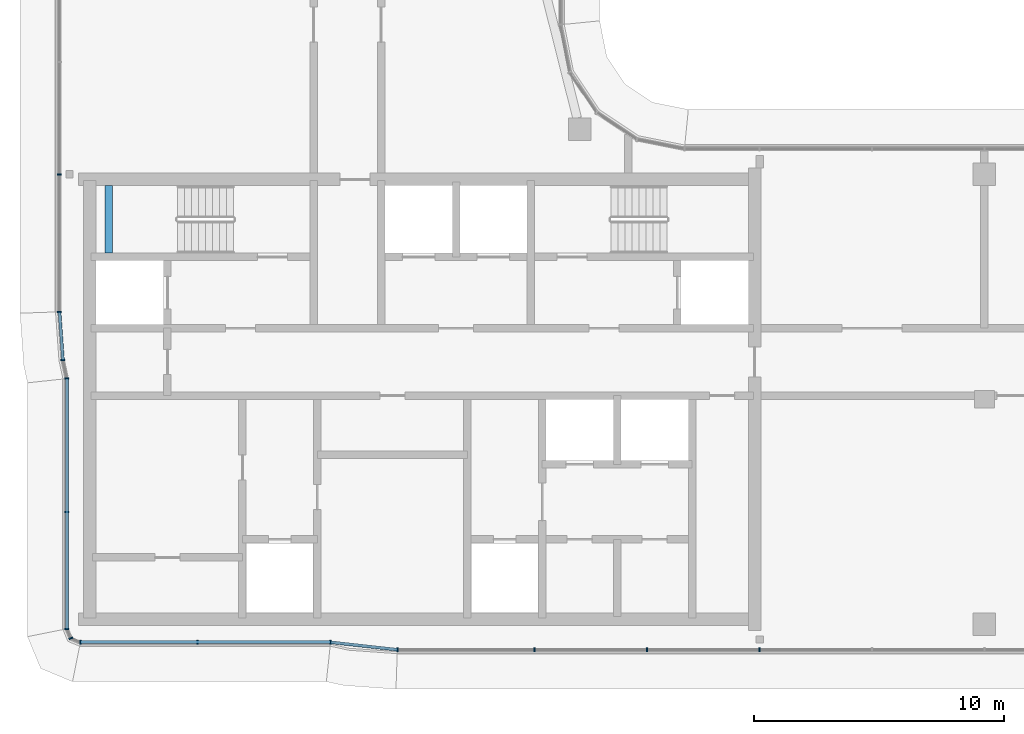
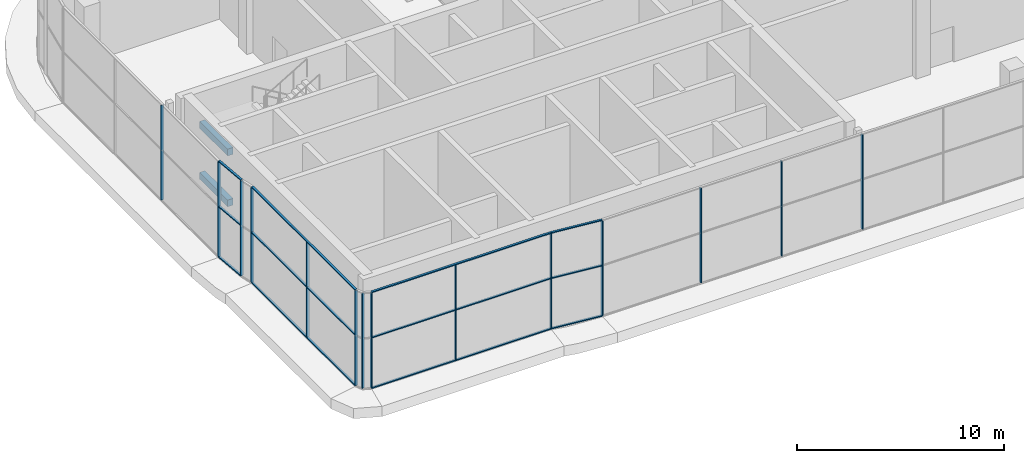
# One storey, part 2 of 23: 26 members, 2 beams, 7 elements without a shape of their own.
"""IFC4 building model written with IfcOpenShell, lengths in metres."""

from ifc_helpers import new_model, si_unit, direction, frame, origin, origin_2d, place, context, subcontext, project, spatial, rectangle, extrude, material, material_profile, profile_set, type_object, element, aggregate, save


model = new_model("IFC4")

# Units and contexts
model_context = context("Model", 3, precision=1e-05, world=origin(), true_north=direction((0.0, 1.0)))
body_context = subcontext(model_context, "Body", "Model", "MODEL_VIEW")
ifc_project = project(units=[si_unit("LENGTHUNIT", "METRE"), si_unit("AREAUNIT", "SQUARE_METRE"), si_unit("VOLUMEUNIT", "CUBIC_METRE"), si_unit("PLANEANGLEUNIT", "RADIAN"), si_unit("MASSUNIT", "GRAM", prefix="KILO")], contexts=[model_context])

# Site, building, storey
site_placement = place(None, origin())
site = spatial("IfcSite", under=ifc_project, at=site_placement, CompositionType="ELEMENT")
building_placement = place(site_placement, origin())
building = spatial("IfcBuilding", under=site, at=building_placement, Name="Ogive Portal Towers", CompositionType="ELEMENT")
storey_placement = place(building_placement, frame((0.0, 0.0, 260.89990234375)))
storey = spatial("IfcBuildingStorey", under=building, at=storey_placement, Name="L64", CompositionType="ELEMENT", Elevation=260.89990234375)

# Beams
ifc_material_1 = material(Name="Concrete C40/50", Category="concrete")
ifc_material_profile_1 = material_profile(ifc_material_1, rectangle(XDim=0.300048828125, YDim=0.39990234375, at=origin_2d()), Name="RC 300x400")
ifc_profile_set_1 = profile_set([ifc_material_profile_1], Name="Concrete C40/50")
beam_type = type_object("IfcBeamType", Name="BEAM RC 300x400", PredefinedType="BEAM", material=ifc_profile_set_1)
for number, where, z_axis, x_axis, name in (
    (1, (32.449951171875, 36.35009765625, 1.10009765625), (0.0, 1.0, 0.0), (-1.0, 0.0, 0.0), "Landing beam L64"),
    (2, (32.449951171875, 36.35009765625, 4.10009765625), (0.0, 1.0, 0.0), (-1.0, 0.0, 0.0), "Landing beam L64"),
):
    element("IfcBeam", number, at=place(storey_placement, frame(where, z_axis=z_axis, x_axis=x_axis)), inside=storey, type_object=beam_type, Name=name, PredefinedType="BEAM", context=body_context, shape_type="SweptSolid", body=[
        extrude(rectangle(XDim=0.300048828125, YDim=0.39990234375, at=origin_2d()), origin(), (0.0, 0.0, 1.0), 2.699951171875),
    ])

# Curtain wall, members
ifc_material_2 = material(Name="Glass, clear low-iron insulated glazing", Category="glass")
curtain_wall_type = type_object("IfcCurtainWallType", Name="CW OBSERVATION WALL", PredefinedType="NOTDEFINED", material=ifc_material_2)
curtain_wall_1_placement = place(storey_placement, origin())
curtain_wall_1 = element("IfcCurtainWall", 3, at=curtain_wall_1_placement, inside=storey, type_object=curtain_wall_type, Name="A:L64:f00:cw0", PredefinedType="NOTDEFINED")
ifc_material_3 = material(Name="Aluminium 6063 anodised", Category="aluminium")
ifc_material_profile_2 = material_profile(ifc_material_3, rectangle(XDim=0.159912109375, YDim=0.06005859375, at=origin_2d()), Name="AL 60x160")
ifc_profile_set_2 = profile_set([ifc_material_profile_2], Name="Aluminium 6063 anodised")
member_type_1 = type_object("IfcMemberType", Name="CW MULLION 60x160", PredefinedType="MULLION", material=ifc_profile_set_2)
member_1_placement = place(storey_placement, frame((30.780029296875, 31.330322265625, 0.06005859375), z_axis=(0.0, 0.0, 1.0), x_axis=(1.0, 0.0, 0.0)))
member_1 = element("IfcMember", 4, at=member_1_placement, type_object=member_type_1, Name="mullion", PredefinedType="MULLION", context=body_context, shape_type="SweptSolid", body=[
    extrude(rectangle(XDim=0.159912109375, YDim=0.06005859375, at=origin_2d()), origin(), (0.0, 0.0, 1.0), 5.580078125),
])
member_2_placement = place(storey_placement, frame((30.780029296875, 26.0, 0.06005859375), z_axis=(0.0, 0.0, 1.0), x_axis=(1.0, 0.0, 0.0)))
member_2 = element("IfcMember", 5, at=member_2_placement, type_object=member_type_1, Name="mullion", PredefinedType="MULLION", context=body_context, shape_type="SweptSolid", body=[
    extrude(rectangle(XDim=0.159912109375, YDim=0.06005859375, at=origin_2d()), origin(), (0.0, 0.0, 1.0), 5.580078125),
])
member_3_placement = place(storey_placement, frame((30.780029296875, 21.31591796875, 0.06005859375), z_axis=(0.0, 0.0, 1.0), x_axis=(1.0, 0.0, 0.0)))
member_3 = element("IfcMember", 6, at=member_3_placement, type_object=member_type_1, Name="mullion", PredefinedType="MULLION", context=body_context, shape_type="SweptSolid", body=[
    extrude(rectangle(XDim=0.159912109375, YDim=0.06005859375, at=origin_2d()), origin(), (0.0, 0.0, 1.0), 5.580078125),
])

curtain_wall_2_placement = place(storey_placement, origin())
curtain_wall_2 = element("IfcCurtainWall", 7, at=curtain_wall_2_placement, inside=storey, type_object=curtain_wall_type, Name="A:L64:f03:cw0", PredefinedType="NOTDEFINED")
member_4_placement = place(storey_placement, frame((31.31591796875, 20.780029296875, 0.06005859375), z_axis=(0.0, 0.0, 1.0), x_axis=(0.0, 1.0, 0.0)))
member_4 = element("IfcMember", 8, at=member_4_placement, type_object=member_type_1, Name="mullion", PredefinedType="MULLION", context=body_context, shape_type="SweptSolid", body=[
    extrude(rectangle(XDim=0.159912109375, YDim=0.06005859375, at=origin_2d()), origin(), (0.0, 0.0, 1.0), 5.580078125),
])
member_5_placement = place(storey_placement, frame((36.0, 20.780029296875, 0.06005859375), z_axis=(0.0, 0.0, 1.0), x_axis=(0.0, 1.0, 0.0)))
member_5 = element("IfcMember", 9, at=member_5_placement, type_object=member_type_1, Name="mullion", PredefinedType="MULLION", context=body_context, shape_type="SweptSolid", body=[
    extrude(rectangle(XDim=0.159912109375, YDim=0.06005859375, at=origin_2d()), origin(), (0.0, 0.0, 1.0), 5.580078125),
])
member_6_placement = place(storey_placement, frame((41.326171875, 20.780029296875, 0.06005859375), z_axis=(0.0, 0.0, 1.0), x_axis=(0.0, 1.0, 0.0)))
member_6 = element("IfcMember", 10, at=member_6_placement, type_object=member_type_1, Name="mullion", PredefinedType="MULLION", context=body_context, shape_type="SweptSolid", body=[
    extrude(rectangle(XDim=0.159912109375, YDim=0.06005859375, at=origin_2d()), origin(), (0.0, 0.0, 1.0), 5.580078125),
])

curtain_wall_3_placement = place(storey_placement, origin())
curtain_wall_3 = element("IfcCurtainWall", 11, at=curtain_wall_3_placement, inside=storey, type_object=curtain_wall_type, Name="A:L64:f05:cw0", PredefinedType="NOTDEFINED")
member_7_placement = place(storey_placement, frame((44.00439453125, 20.47998046875, 0.06005859375), z_axis=(0.0, 0.0, 1.0), x_axis=(0.0, 1.0, 0.0)))
member_7 = element("IfcMember", 12, at=member_7_placement, type_object=member_type_1, Name="mullion", PredefinedType="MULLION", context=body_context, shape_type="SweptSolid", body=[
    extrude(rectangle(XDim=0.159912109375, YDim=0.06005859375, at=origin_2d()), origin(), (0.0, 0.0, 1.0), 5.580078125),
])
member_8_placement = place(storey_placement, frame((49.5, 20.47998046875, 0.06005859375), z_axis=(0.0, 0.0, 1.0), x_axis=(0.0, 1.0, 0.0)))
member_8 = element("IfcMember", 13, at=member_8_placement, type_object=member_type_1, Name="mullion", PredefinedType="MULLION", context=body_context, shape_type="SweptSolid", body=[
    extrude(rectangle(XDim=0.159912109375, YDim=0.06005859375, at=origin_2d()), origin(), (0.0, 0.0, 1.0), 5.580078125),
])
member_9_placement = place(storey_placement, frame((54.0, 20.47998046875, 0.06005859375), z_axis=(0.0, 0.0, 1.0), x_axis=(0.0, 1.0, 0.0)))
member_9 = element("IfcMember", 14, at=member_9_placement, type_object=member_type_1, Name="mullion", PredefinedType="MULLION", context=body_context, shape_type="SweptSolid", body=[
    extrude(rectangle(XDim=0.159912109375, YDim=0.06005859375, at=origin_2d()), origin(), (0.0, 0.0, 1.0), 5.580078125),
])
member_10_placement = place(storey_placement, frame((58.5, 20.47998046875, 0.06005859375), z_axis=(0.0, 0.0, 1.0), x_axis=(0.0, 1.0, 0.0)))
member_10 = element("IfcMember", 15, at=member_10_placement, type_object=member_type_1, Name="mullion", PredefinedType="MULLION", context=body_context, shape_type="SweptSolid", body=[
    extrude(rectangle(XDim=0.159912109375, YDim=0.06005859375, at=origin_2d()), origin(), (0.0, 0.0, 1.0), 5.580078125),
])
aggregate(curtain_wall_3, [member_7, member_8, member_9, member_10])

curtain_wall_4_placement = place(storey_placement, origin())
curtain_wall_4 = element("IfcCurtainWall", 16, at=curtain_wall_4_placement, inside=storey, type_object=curtain_wall_type, Name="A:L64:f23:cw0", PredefinedType="NOTDEFINED")
member_11_placement = place(storey_placement, frame((30.47998046875, 39.5, 0.06005859375), z_axis=(0.0, 0.0, 1.0), x_axis=(1.0, 0.0, 0.0)))
member_11 = element("IfcMember", 17, at=member_11_placement, type_object=member_type_1, Name="mullion", PredefinedType="MULLION", context=body_context, shape_type="SweptSolid", body=[
    extrude(rectangle(XDim=0.159912109375, YDim=0.06005859375, at=origin_2d()), origin(), (0.0, 0.0, 1.0), 5.580078125),
])
member_12_placement = place(storey_placement, frame((30.47998046875, 34.0029296875, 0.06005859375), z_axis=(0.0, 0.0, 1.0), x_axis=(1.0, 0.0, 0.0)))
member_12 = element("IfcMember", 18, at=member_12_placement, type_object=member_type_1, Name="mullion", PredefinedType="MULLION", context=body_context, shape_type="SweptSolid", body=[
    extrude(rectangle(XDim=0.159912109375, YDim=0.06005859375, at=origin_2d()), origin(), (0.0, 0.0, 1.0), 5.580078125),
])
aggregate(curtain_wall_4, [member_11, member_12])

# Curtain wall, member
curtain_wall_5_placement = place(storey_placement, origin())
curtain_wall_5 = element("IfcCurtainWall", 19, at=curtain_wall_5_placement, inside=storey, type_object=curtain_wall_type, Name="A:L64:f01:cwa", PredefinedType="NOTDEFINED")
member_13_placement = place(storey_placement, frame((30.93701171875, 20.93701171875, 0.06005859375), z_axis=(0.0, 0.0, 1.0), x_axis=(0.923879532511, 0.382683432365, 0.0)))
member_13 = element("IfcMember", 20, at=member_13_placement, type_object=member_type_1, Name="mullion", PredefinedType="MULLION", context=body_context, shape_type="SweptSolid", body=[
    extrude(rectangle(XDim=0.159912109375, YDim=0.06005859375, at=origin_2d()), origin(), (0.0, 0.0, 1.0), 5.580078125),
])
aggregate(curtain_wall_5, [member_13])

curtain_wall_6_placement = place(storey_placement, origin())
curtain_wall_6 = element("IfcCurtainWall", 21, at=curtain_wall_6_placement, inside=storey, type_object=curtain_wall_type, Name="A:L64:f24:cwa", PredefinedType="NOTDEFINED")
member_14_placement = place(storey_placement, frame((30.617919921875, 32.075927734375, 0.06005859375), z_axis=(0.0, 0.0, 1.0), x_axis=(0.99745211461, 0.071339183201, 0.0)))
member_14 = element("IfcMember", 22, at=member_14_placement, type_object=member_type_1, Name="mullion", PredefinedType="MULLION", context=body_context, shape_type="SweptSolid", body=[
    extrude(rectangle(XDim=0.159912109375, YDim=0.06005859375, at=origin_2d()), origin(), (0.0, 0.0, 1.0), 5.580078125),
])

# Member
ifc_material_profile_3 = material_profile(ifc_material_3, rectangle(XDim=0.1201171875, YDim=0.06005859375, at=origin_2d()), Name="AL 120x60")
ifc_profile_set_3 = profile_set([ifc_material_profile_3], Name="Aluminium 6063 anodised")
member_type_2 = type_object("IfcMemberType", Name="CW TRANSOM 60x120", PredefinedType="USERDEFINED", material=ifc_profile_set_3)
member_15_placement = place(storey_placement, frame((30.780029296875, 31.330322265625, 0.030029296875), z_axis=(0.0, -1.0, 0.0), x_axis=(1.0, 0.0, 0.0)))
member_15 = element("IfcMember", 23, at=member_15_placement, type_object=member_type_2, Name="transom", ObjectType="TRANSOM", PredefinedType="USERDEFINED", context=body_context, shape_type="SweptSolid", body=[
    extrude(rectangle(XDim=0.1201171875, YDim=0.06005859375, at=origin_2d()), origin(), (0.0, 0.0, 1.0), 10.014404296875),
])

member_16_placement = place(storey_placement, frame((30.780029296875, 31.330322265625, 3.0), z_axis=(0.0, -1.0, 0.0), x_axis=(1.0, 0.0, 0.0)))
member_16 = element("IfcMember", 24, at=member_16_placement, type_object=member_type_2, Name="transom", ObjectType="TRANSOM", PredefinedType="USERDEFINED", context=body_context, shape_type="SweptSolid", body=[
    extrude(rectangle(XDim=0.1201171875, YDim=0.06005859375, at=origin_2d()), origin(), (0.0, 0.0, 1.0), 10.014404296875),
])

member_17_placement = place(storey_placement, frame((30.780029296875, 31.330322265625, 5.670166015625), z_axis=(0.0, -1.0, 0.0), x_axis=(1.0, 0.0, 0.0)))
member_17 = element("IfcMember", 25, at=member_17_placement, type_object=member_type_2, Name="transom", ObjectType="TRANSOM", PredefinedType="USERDEFINED", context=body_context, shape_type="SweptSolid", body=[
    extrude(rectangle(XDim=0.1201171875, YDim=0.06005859375, at=origin_2d()), origin(), (0.0, 0.0, 1.0), 10.014404296875),
])

aggregate(curtain_wall_1, [member_15, member_16, member_17, member_1, member_2, member_3])

member_18_placement = place(storey_placement, frame((31.31591796875, 20.780029296875, 0.030029296875), z_axis=(1.0, 0.0, 0.0), x_axis=(0.0, 1.0, 0.0)))
member_18 = element("IfcMember", 26, at=member_18_placement, type_object=member_type_2, Name="transom", ObjectType="TRANSOM", PredefinedType="USERDEFINED", context=body_context, shape_type="SweptSolid", body=[
    extrude(rectangle(XDim=0.1201171875, YDim=0.06005859375, at=origin_2d()), origin(), (0.0, 0.0, 1.0), 10.01025390625),
])

member_19_placement = place(storey_placement, frame((31.31591796875, 20.780029296875, 3.0), z_axis=(1.0, 0.0, 0.0), x_axis=(0.0, 1.0, 0.0)))
member_19 = element("IfcMember", 27, at=member_19_placement, type_object=member_type_2, Name="transom", ObjectType="TRANSOM", PredefinedType="USERDEFINED", context=body_context, shape_type="SweptSolid", body=[
    extrude(rectangle(XDim=0.1201171875, YDim=0.06005859375, at=origin_2d()), origin(), (0.0, 0.0, 1.0), 10.01025390625),
])

member_20_placement = place(storey_placement, frame((31.31591796875, 20.780029296875, 5.670166015625), z_axis=(1.0, 0.0, 0.0), x_axis=(0.0, 1.0, 0.0)))
member_20 = element("IfcMember", 28, at=member_20_placement, type_object=member_type_2, Name="transom", ObjectType="TRANSOM", PredefinedType="USERDEFINED", context=body_context, shape_type="SweptSolid", body=[
    extrude(rectangle(XDim=0.1201171875, YDim=0.06005859375, at=origin_2d()), origin(), (0.0, 0.0, 1.0), 10.01025390625),
])

aggregate(curtain_wall_2, [member_18, member_19, member_20, member_4, member_5, member_6])

# Curtain wall, members
curtain_wall_7_placement = place(storey_placement, origin())
curtain_wall_7 = element("IfcCurtainWall", 29, at=curtain_wall_7_placement, inside=storey, type_object=curtain_wall_type, Name="A:L64:f04:cwa", PredefinedType="NOTDEFINED")
member_21_placement = place(storey_placement, frame((41.326171875, 20.780029296875, 0.030029296875), z_axis=(0.993782788953, -0.111336285107, 0.0), x_axis=(0.111336285107, 0.993782788953, 0.0)))
member_21 = element("IfcMember", 30, at=member_21_placement, type_object=member_type_2, Name="transom", ObjectType="TRANSOM", PredefinedType="USERDEFINED", context=body_context, shape_type="SweptSolid", body=[
    extrude(rectangle(XDim=0.1201171875, YDim=0.06005859375, at=origin_2d()), origin(), (0.0, 0.0, 1.0), 2.695068359375),
])
member_22_placement = place(storey_placement, frame((41.326171875, 20.780029296875, 3.0), z_axis=(0.993782788953, -0.111336285107, 0.0), x_axis=(0.111336285107, 0.993782788953, 0.0)))
member_22 = element("IfcMember", 31, at=member_22_placement, type_object=member_type_2, Name="transom", ObjectType="TRANSOM", PredefinedType="USERDEFINED", context=body_context, shape_type="SweptSolid", body=[
    extrude(rectangle(XDim=0.1201171875, YDim=0.06005859375, at=origin_2d()), origin(), (0.0, 0.0, 1.0), 2.695068359375),
])
member_23_placement = place(storey_placement, frame((41.326171875, 20.780029296875, 5.670166015625), z_axis=(0.993782788953, -0.111336285107, 0.0), x_axis=(0.111336285107, 0.993782788953, 0.0)))
member_23 = element("IfcMember", 32, at=member_23_placement, type_object=member_type_2, Name="transom", ObjectType="TRANSOM", PredefinedType="USERDEFINED", context=body_context, shape_type="SweptSolid", body=[
    extrude(rectangle(XDim=0.1201171875, YDim=0.06005859375, at=origin_2d()), origin(), (0.0, 0.0, 1.0), 2.695068359375),
])
aggregate(curtain_wall_7, [member_21, member_22, member_23])

# Member
member_24_placement = place(storey_placement, frame((30.47998046875, 34.0029296875, 0.030029296875), z_axis=(0.071399720943, -0.997447783019, 0.0), x_axis=(0.997447783019, 0.071399720943, 0.0)))
member_24 = element("IfcMember", 33, at=member_24_placement, type_object=member_type_2, Name="transom", ObjectType="TRANSOM", PredefinedType="USERDEFINED", context=body_context, shape_type="SweptSolid", body=[
    extrude(rectangle(XDim=0.1201171875, YDim=0.06005859375, at=origin_2d()), origin(), (0.0, 0.0, 1.0), 1.931884765625),
])

member_25_placement = place(storey_placement, frame((30.47998046875, 34.0029296875, 3.0), z_axis=(0.071399720943, -0.997447783019, 0.0), x_axis=(0.997447783019, 0.071399720943, 0.0)))
member_25 = element("IfcMember", 34, at=member_25_placement, type_object=member_type_2, Name="transom", ObjectType="TRANSOM", PredefinedType="USERDEFINED", context=body_context, shape_type="SweptSolid", body=[
    extrude(rectangle(XDim=0.1201171875, YDim=0.06005859375, at=origin_2d()), origin(), (0.0, 0.0, 1.0), 1.931884765625),
])

member_26_placement = place(storey_placement, frame((30.47998046875, 34.0029296875, 5.670166015625), z_axis=(0.071399720943, -0.997447783019, 0.0), x_axis=(0.997447783019, 0.071399720943, 0.0)))
member_26 = element("IfcMember", 35, at=member_26_placement, type_object=member_type_2, Name="transom", ObjectType="TRANSOM", PredefinedType="USERDEFINED", context=body_context, shape_type="SweptSolid", body=[
    extrude(rectangle(XDim=0.1201171875, YDim=0.06005859375, at=origin_2d()), origin(), (0.0, 0.0, 1.0), 1.931884765625),
])

aggregate(curtain_wall_6, [member_24, member_25, member_26, member_14])

save(model, "model.ifc")
